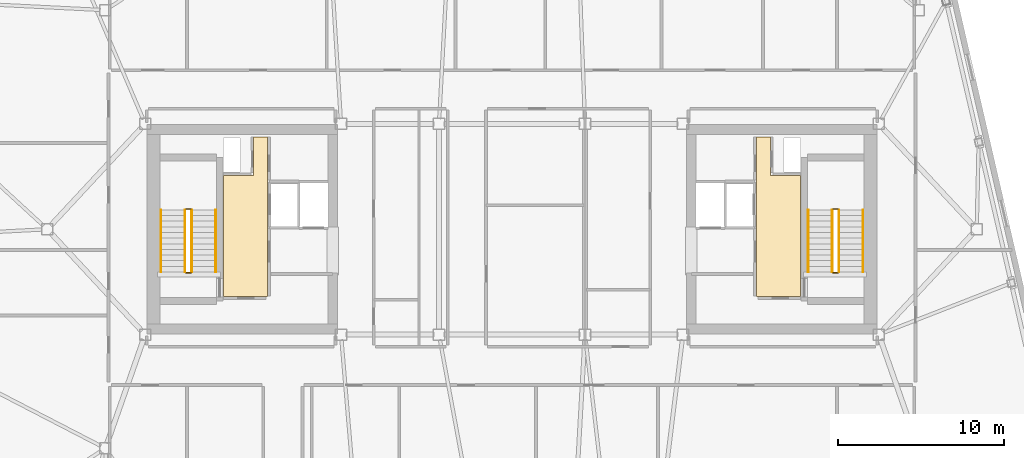
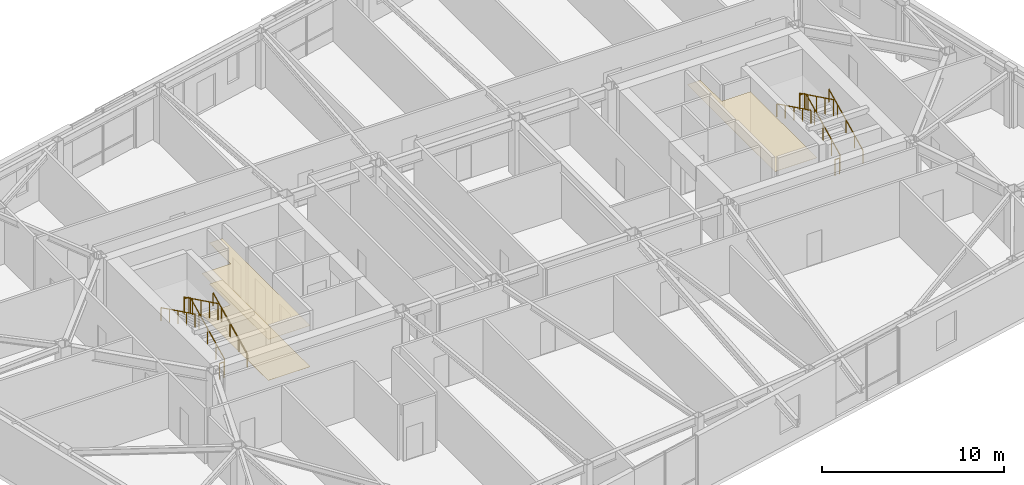
# One storey, part 23 of 24: 12 railings, 3 coverings.
"""IFC4 building model written with IfcOpenShell, lengths in metres."""

from ifc_helpers import new_model, si_unit, direction, frame, origin, origin_2d, place, context, subcontext, project, spatial, polyline, rectangle, outline, extrude, material, layer, layer_set, type_object, element, save


model = new_model("IFC4")

# Units and contexts
model_context = context("Model", 3, precision=1e-05, world=origin(), true_north=direction((0.0, 1.0)))
body_context = subcontext(model_context, "Body", "Model", "MODEL_VIEW")
ifc_project = project(units=[si_unit("LENGTHUNIT", "METRE"), si_unit("AREAUNIT", "SQUARE_METRE"), si_unit("VOLUMEUNIT", "CUBIC_METRE"), si_unit("PLANEANGLEUNIT", "RADIAN"), si_unit("MASSUNIT", "GRAM", prefix="KILO")], contexts=[model_context])

# Site, building, storey
site_placement = place(None, origin())
site = spatial("IfcSite", under=ifc_project, at=site_placement, CompositionType="ELEMENT")
building_placement = place(site_placement, origin())
building = spatial("IfcBuilding", under=site, at=building_placement, Name="Tavrogorsk Clinical Tower", CompositionType="ELEMENT")
storey_placement = place(building_placement, frame((0.0, 0.0, 321.0)))
storey = spatial("IfcBuildingStorey", under=building, at=storey_placement, Name="L75", CompositionType="ELEMENT", Elevation=321.0)

# Coverings
ifc_material_1 = material(Name="Antibacterial micro-perforated aluminium ceiling", Category="aluminium")
ifc_layer_1 = layer(ifc_material_1, 0.014892578125)
ifc_layer_set_1 = layer_set([ifc_layer_1], Name="Antibacterial micro-perforated aluminium ceiling")
covering_type_1 = type_object("IfcCoveringType", Name="ClinicalCeiling_15", PredefinedType="CEILING", material=ifc_layer_set_1)
covering_1_placement = place(storey_placement, frame((0.0, 0.0, 2.75)))
element("IfcCovering", 1, at=covering_1_placement, inside=storey, type_object=covering_type_1, Name="Core West Firefighting Lift Lobby Acoustic Ceiling", PredefinedType="CEILING", context=body_context, shape_type="SweptSolid", body=[
    extrude(outline(polyline([(-14.719970703125, 5.56005859375), (-14.719970703125, -4.06005859375), (-17.3798828125, -4.06005859375), (-17.3798828125, 3.239990234375), (-15.56005859375, 3.239990234375), (-15.56005859375, 5.56005859375), (-14.719970703125, 5.56005859375)])), origin(), (0.0, 0.0, 1.0), 0.014892578125),
])
covering_2_placement = place(storey_placement, frame((0.0, 0.0, 2.75)))
element("IfcCovering", 2, at=covering_2_placement, inside=storey, type_object=covering_type_1, Name="Core East Firefighting Lift Lobby Acoustic Ceiling", PredefinedType="CEILING", context=body_context, shape_type="SweptSolid", body=[
    extrude(outline(polyline([(17.3798828125, -4.06005859375), (14.719970703125, -4.06005859375), (14.719970703125, 5.56005859375), (15.56005859375, 5.56005859375), (15.56005859375, 3.239990234375), (17.3798828125, 3.239990234375), (17.3798828125, -4.06005859375)])), origin(), (0.0, 0.0, 1.0), 0.014892578125),
])
ifc_material_2 = material(Name="Homogeneous medical conductive PVC flooring")
ifc_layer_2 = layer(ifc_material_2, 0.008056640625)
ifc_layer_set_2 = layer_set([ifc_layer_2], Name="Homogeneous medical conductive PVC flooring")
covering_type_2 = type_object("IfcCoveringType", Name="ResilientVinylFloor_8", PredefinedType="FLOORING", material=ifc_layer_set_2)
covering_3_placement = place(storey_placement, origin())
element("IfcCovering", 3, at=covering_3_placement, inside=storey, type_object=covering_type_2, Name="Core West Firefighting Lift Lobby Conductive Vinyl Flooring", PredefinedType="FLOORING", context=body_context, shape_type="SweptSolid", body=[
    extrude(outline(polyline([(-14.719970703125, 5.56005859375), (-14.719970703125, -4.06005859375), (-17.3798828125, -4.06005859375), (-17.3798828125, 3.239990234375), (-15.56005859375, 3.239990234375), (-15.56005859375, 5.56005859375), (-14.719970703125, 5.56005859375)])), origin(), (0.0, 0.0, 1.0), 0.008056640625),
])

# Railings
ifc_material_3 = material(Name="Galvanised steel S355 safety stairwell guard", Category="steel")
ifc_layer_3 = layer(ifc_material_3, 0.06005859375)
ifc_layer_set_3 = layer_set([ifc_layer_3], Name="Galvanised steel S355 safety stairwell guard")
railing_type_1 = type_object("IfcRailingType", Name="StairGuard_1150", PredefinedType="GUARDRAIL", material=ifc_layer_set_3)
railing_1_placement = place(storey_placement, frame((-19.300048828125, -2.574951171875, 0.166748046875)))
element("IfcRailing", 4, at=railing_1_placement, inside=storey, type_object=railing_type_1, Name="L75 ST-W stair guard 1", PredefinedType="GUARDRAIL", context=body_context, shape_type="SweptSolid", body=[
    extrude(rectangle(XDim=0.048095703125, YDim=0.048095703125, at=origin_2d()), frame((0.0, 0.0, 1.076171875), z_axis=(0.0, 0.897927990467, 0.440142390523), x_axis=(-1.0, 0.0, 0.0)), (0.0, 0.0, 1.0), 4.1650390625),
    extrude(rectangle(XDim=0.0419921875, YDim=0.0419921875, at=origin_2d()), origin(), (0.0, 0.0, 1.0), 1.052001953125),
    extrude(rectangle(XDim=0.0419921875, YDim=0.0419921875, at=origin_2d()), frame((0.0, 0.93505859375, 0.458251953125)), (0.0, 0.0, 1.0), 1.052001953125),
    extrude(rectangle(XDim=0.0419921875, YDim=0.0419921875, at=origin_2d()), frame((0.0, 1.8701171875, 0.91650390625)), (0.0, 0.0, 1.0), 1.052001953125),
    extrude(rectangle(XDim=0.0419921875, YDim=0.0419921875, at=origin_2d()), frame((0.0, 2.804931640625, 1.375)), (0.0, 0.0, 1.0), 1.052001953125),
    extrude(rectangle(XDim=0.0419921875, YDim=0.0419921875, at=origin_2d()), frame((0.0, 3.739990234375, 1.833251953125)), (0.0, 0.0, 1.0), 1.052001953125),
])
railing_2_placement = place(storey_placement, frame((-19.35009765625, 1.215087890625, 2.0)))
element("IfcRailing", 5, at=railing_2_placement, inside=storey, type_object=railing_type_1, Name="L75 ST-W stair guard 2", PredefinedType="GUARDRAIL", context=body_context, shape_type="SweptSolid", body=[
    extrude(rectangle(XDim=0.048095703125, YDim=0.048095703125, at=origin_2d()), frame((0.0, 0.0, 1.076171875), z_axis=(-1.0, 0.0, 0.0), x_axis=(0.0, -1.0, 0.0)), (0.0, 0.0, 1.0), 0.2998046875),
    extrude(rectangle(XDim=0.0419921875, YDim=0.0419921875, at=origin_2d()), origin(), (0.0, 0.0, 1.0), 1.052001953125),
    extrude(rectangle(XDim=0.0419921875, YDim=0.0419921875, at=origin_2d()), frame((-0.2998046875, 0.0, 0.0)), (0.0, 0.0, 1.0), 1.052001953125),
])
railing_3_placement = place(storey_placement, frame((-19.699951171875, 1.1650390625, 2.166748046875)))
element("IfcRailing", 6, at=railing_3_placement, inside=storey, type_object=railing_type_1, Name="L75 ST-W stair guard 3", PredefinedType="GUARDRAIL", context=body_context, shape_type="SweptSolid", body=[
    extrude(rectangle(XDim=0.048095703125, YDim=0.048095703125, at=origin_2d()), frame((0.0, 0.0, 1.076171875), z_axis=(0.0, -0.897927990467, 0.440142390523), x_axis=(1.0, 0.0, 0.0)), (0.0, 0.0, 1.0), 4.1650390625),
    extrude(rectangle(XDim=0.0419921875, YDim=0.0419921875, at=origin_2d()), origin(), (0.0, 0.0, 1.0), 1.052001953125),
    extrude(rectangle(XDim=0.0419921875, YDim=0.0419921875, at=origin_2d()), frame((0.0, -0.93505859375, 0.458251953125)), (0.0, 0.0, 1.0), 1.052001953125),
    extrude(rectangle(XDim=0.0419921875, YDim=0.0419921875, at=origin_2d()), frame((0.0, -1.8701171875, 0.91650390625)), (0.0, 0.0, 1.0), 1.052001953125),
    extrude(rectangle(XDim=0.0419921875, YDim=0.0419921875, at=origin_2d()), frame((0.0, -2.804931640625, 1.375)), (0.0, 0.0, 1.0), 1.052001953125),
    extrude(rectangle(XDim=0.0419921875, YDim=0.0419921875, at=origin_2d()), frame((0.0, -3.739990234375, 1.833251953125)), (0.0, 0.0, 1.0), 1.052001953125),
])
railing_4_placement = place(storey_placement, frame((-19.35009765625, -2.625, 0.0)))
element("IfcRailing", 7, at=railing_4_placement, inside=storey, type_object=railing_type_1, Name="L75 ST-W stair guard 4", PredefinedType="GUARDRAIL", context=body_context, shape_type="SweptSolid", body=[
    extrude(rectangle(XDim=0.048095703125, YDim=0.048095703125, at=origin_2d()), frame((0.0, 0.0, 1.076171875), z_axis=(-1.0, 0.0, 0.0), x_axis=(0.0, -1.0, 0.0)), (0.0, 0.0, 1.0), 0.2998046875),
    extrude(rectangle(XDim=0.0419921875, YDim=0.0419921875, at=origin_2d()), origin(), (0.0, 0.0, 1.0), 1.052001953125),
    extrude(rectangle(XDim=0.0419921875, YDim=0.0419921875, at=origin_2d()), frame((-0.2998046875, 0.0, 0.0)), (0.0, 0.0, 1.0), 1.052001953125),
])
railing_5_placement = place(storey_placement, frame((19.699951171875, -2.574951171875, 0.166748046875)))
element("IfcRailing", 8, at=railing_5_placement, inside=storey, type_object=railing_type_1, Name="L75 ST-E stair guard 1", PredefinedType="GUARDRAIL", context=body_context, shape_type="SweptSolid", body=[
    extrude(rectangle(XDim=0.048095703125, YDim=0.048095703125, at=origin_2d()), frame((0.0, 0.0, 1.076171875), z_axis=(0.0, 0.897927990467, 0.440142390523), x_axis=(-1.0, 0.0, 0.0)), (0.0, 0.0, 1.0), 4.1650390625),
    extrude(rectangle(XDim=0.0419921875, YDim=0.0419921875, at=origin_2d()), origin(), (0.0, 0.0, 1.0), 1.052001953125),
    extrude(rectangle(XDim=0.0419921875, YDim=0.0419921875, at=origin_2d()), frame((0.0, 0.93505859375, 0.458251953125)), (0.0, 0.0, 1.0), 1.052001953125),
    extrude(rectangle(XDim=0.0419921875, YDim=0.0419921875, at=origin_2d()), frame((0.0, 1.8701171875, 0.91650390625)), (0.0, 0.0, 1.0), 1.052001953125),
    extrude(rectangle(XDim=0.0419921875, YDim=0.0419921875, at=origin_2d()), frame((0.0, 2.804931640625, 1.375)), (0.0, 0.0, 1.0), 1.052001953125),
    extrude(rectangle(XDim=0.0419921875, YDim=0.0419921875, at=origin_2d()), frame((0.0, 3.739990234375, 1.833251953125)), (0.0, 0.0, 1.0), 1.052001953125),
])
railing_6_placement = place(storey_placement, frame((19.64990234375, 1.215087890625, 2.0)))
element("IfcRailing", 9, at=railing_6_placement, inside=storey, type_object=railing_type_1, Name="L75 ST-E stair guard 2", PredefinedType="GUARDRAIL", context=body_context, shape_type="SweptSolid", body=[
    extrude(rectangle(XDim=0.048095703125, YDim=0.048095703125, at=origin_2d()), frame((0.0, 0.0, 1.076171875), z_axis=(-1.0, 0.0, 0.0), x_axis=(0.0, -1.0, 0.0)), (0.0, 0.0, 1.0), 0.2998046875),
    extrude(rectangle(XDim=0.0419921875, YDim=0.0419921875, at=origin_2d()), origin(), (0.0, 0.0, 1.0), 1.052001953125),
    extrude(rectangle(XDim=0.0419921875, YDim=0.0419921875, at=origin_2d()), frame((-0.2998046875, 0.0, 0.0)), (0.0, 0.0, 1.0), 1.052001953125),
])
railing_7_placement = place(storey_placement, frame((19.300048828125, 1.1650390625, 2.166748046875)))
element("IfcRailing", 10, at=railing_7_placement, inside=storey, type_object=railing_type_1, Name="L75 ST-E stair guard 3", PredefinedType="GUARDRAIL", context=body_context, shape_type="SweptSolid", body=[
    extrude(rectangle(XDim=0.048095703125, YDim=0.048095703125, at=origin_2d()), frame((0.0, 0.0, 1.076171875), z_axis=(0.0, -0.897927990467, 0.440142390523), x_axis=(1.0, 0.0, 0.0)), (0.0, 0.0, 1.0), 4.1650390625),
    extrude(rectangle(XDim=0.0419921875, YDim=0.0419921875, at=origin_2d()), origin(), (0.0, 0.0, 1.0), 1.052001953125),
    extrude(rectangle(XDim=0.0419921875, YDim=0.0419921875, at=origin_2d()), frame((0.0, -0.93505859375, 0.458251953125)), (0.0, 0.0, 1.0), 1.052001953125),
    extrude(rectangle(XDim=0.0419921875, YDim=0.0419921875, at=origin_2d()), frame((0.0, -1.8701171875, 0.91650390625)), (0.0, 0.0, 1.0), 1.052001953125),
    extrude(rectangle(XDim=0.0419921875, YDim=0.0419921875, at=origin_2d()), frame((0.0, -2.804931640625, 1.375)), (0.0, 0.0, 1.0), 1.052001953125),
    extrude(rectangle(XDim=0.0419921875, YDim=0.0419921875, at=origin_2d()), frame((0.0, -3.739990234375, 1.833251953125)), (0.0, 0.0, 1.0), 1.052001953125),
])
railing_8_placement = place(storey_placement, frame((19.64990234375, -2.625, 0.0)))
element("IfcRailing", 11, at=railing_8_placement, inside=storey, type_object=railing_type_1, Name="L75 ST-E stair guard 4", PredefinedType="GUARDRAIL", context=body_context, shape_type="SweptSolid", body=[
    extrude(rectangle(XDim=0.048095703125, YDim=0.048095703125, at=origin_2d()), frame((0.0, 0.0, 1.076171875), z_axis=(-1.0, 0.0, 0.0), x_axis=(0.0, -1.0, 0.0)), (0.0, 0.0, 1.0), 0.2998046875),
    extrude(rectangle(XDim=0.0419921875, YDim=0.0419921875, at=origin_2d()), origin(), (0.0, 0.0, 1.0), 1.052001953125),
    extrude(rectangle(XDim=0.0419921875, YDim=0.0419921875, at=origin_2d()), frame((-0.2998046875, 0.0, 0.0)), (0.0, 0.0, 1.0), 1.052001953125),
])
ifc_material_4 = material(Name="Stainless steel AISI 304 tubular handrail", Category="steel")
ifc_layer_4 = layer(ifc_material_4, 0.050048828125)
ifc_layer_set_4 = layer_set([ifc_layer_4], Name="Stainless steel AISI 304 tubular handrail")
railing_type_2 = type_object("IfcRailingType", Name="StairHandrail_920", PredefinedType="HANDRAIL", material=ifc_layer_set_4)
railing_9_placement = place(storey_placement, frame((-17.85009765625, -2.574951171875, 0.166748046875)))
element("IfcRailing", 12, at=railing_9_placement, inside=storey, type_object=railing_type_2, Name="L75 ST-W stair handrail 1", PredefinedType="HANDRAIL", context=body_context, shape_type="SweptSolid", body=[
    extrude(rectangle(XDim=0.048095703125, YDim=0.048095703125, at=origin_2d()), frame((0.0, 0.0, 0.8759765625), z_axis=(0.0, 0.897927990467, 0.440142390523), x_axis=(-1.0, 0.0, 0.0)), (0.0, 0.0, 1.0), 4.1650390625),
    extrude(rectangle(XDim=0.0419921875, YDim=0.0419921875, at=origin_2d()), origin(), (0.0, 0.0, 1.0), 0.851806640625),
    extrude(rectangle(XDim=0.0419921875, YDim=0.0419921875, at=origin_2d()), frame((0.0, 0.93505859375, 0.458251953125)), (0.0, 0.0, 1.0), 0.851806640625),
    extrude(rectangle(XDim=0.0419921875, YDim=0.0419921875, at=origin_2d()), frame((0.0, 1.8701171875, 0.91650390625)), (0.0, 0.0, 1.0), 0.851806640625),
    extrude(rectangle(XDim=0.0419921875, YDim=0.0419921875, at=origin_2d()), frame((0.0, 2.804931640625, 1.375)), (0.0, 0.0, 1.0), 0.851806640625),
    extrude(rectangle(XDim=0.0419921875, YDim=0.0419921875, at=origin_2d()), frame((0.0, 3.739990234375, 1.833251953125)), (0.0, 0.0, 1.0), 0.851806640625),
])
railing_10_placement = place(storey_placement, frame((-21.14990234375, 1.1650390625, 2.166748046875)))
element("IfcRailing", 13, at=railing_10_placement, inside=storey, type_object=railing_type_2, Name="L75 ST-W stair handrail 2", PredefinedType="HANDRAIL", context=body_context, shape_type="SweptSolid", body=[
    extrude(rectangle(XDim=0.048095703125, YDim=0.048095703125, at=origin_2d()), frame((0.0, 0.0, 0.8759765625), z_axis=(0.0, -0.897927990467, 0.440142390523), x_axis=(1.0, 0.0, 0.0)), (0.0, 0.0, 1.0), 4.1650390625),
    extrude(rectangle(XDim=0.0419921875, YDim=0.0419921875, at=origin_2d()), origin(), (0.0, 0.0, 1.0), 0.851806640625),
    extrude(rectangle(XDim=0.0419921875, YDim=0.0419921875, at=origin_2d()), frame((0.0, -0.93505859375, 0.458251953125)), (0.0, 0.0, 1.0), 0.851806640625),
    extrude(rectangle(XDim=0.0419921875, YDim=0.0419921875, at=origin_2d()), frame((0.0, -1.8701171875, 0.91650390625)), (0.0, 0.0, 1.0), 0.851806640625),
    extrude(rectangle(XDim=0.0419921875, YDim=0.0419921875, at=origin_2d()), frame((0.0, -2.804931640625, 1.375)), (0.0, 0.0, 1.0), 0.851806640625),
    extrude(rectangle(XDim=0.0419921875, YDim=0.0419921875, at=origin_2d()), frame((0.0, -3.739990234375, 1.833251953125)), (0.0, 0.0, 1.0), 0.851806640625),
])
railing_11_placement = place(storey_placement, frame((21.14990234375, -2.574951171875, 0.166748046875)))
element("IfcRailing", 14, at=railing_11_placement, inside=storey, type_object=railing_type_2, Name="L75 ST-E stair handrail 1", PredefinedType="HANDRAIL", context=body_context, shape_type="SweptSolid", body=[
    extrude(rectangle(XDim=0.048095703125, YDim=0.048095703125, at=origin_2d()), frame((0.0, 0.0, 0.8759765625), z_axis=(0.0, 0.897927990467, 0.440142390523), x_axis=(-1.0, 0.0, 0.0)), (0.0, 0.0, 1.0), 4.1650390625),
    extrude(rectangle(XDim=0.0419921875, YDim=0.0419921875, at=origin_2d()), origin(), (0.0, 0.0, 1.0), 0.851806640625),
    extrude(rectangle(XDim=0.0419921875, YDim=0.0419921875, at=origin_2d()), frame((0.0, 0.93505859375, 0.458251953125)), (0.0, 0.0, 1.0), 0.851806640625),
    extrude(rectangle(XDim=0.0419921875, YDim=0.0419921875, at=origin_2d()), frame((0.0, 1.8701171875, 0.91650390625)), (0.0, 0.0, 1.0), 0.851806640625),
    extrude(rectangle(XDim=0.0419921875, YDim=0.0419921875, at=origin_2d()), frame((0.0, 2.804931640625, 1.375)), (0.0, 0.0, 1.0), 0.851806640625),
    extrude(rectangle(XDim=0.0419921875, YDim=0.0419921875, at=origin_2d()), frame((0.0, 3.739990234375, 1.833251953125)), (0.0, 0.0, 1.0), 0.851806640625),
])
railing_12_placement = place(storey_placement, frame((17.85009765625, 1.1650390625, 2.166748046875)))
element("IfcRailing", 15, at=railing_12_placement, inside=storey, type_object=railing_type_2, Name="L75 ST-E stair handrail 2", PredefinedType="HANDRAIL", context=body_context, shape_type="SweptSolid", body=[
    extrude(rectangle(XDim=0.048095703125, YDim=0.048095703125, at=origin_2d()), frame((0.0, 0.0, 0.8759765625), z_axis=(0.0, -0.897927990467, 0.440142390523), x_axis=(1.0, 0.0, 0.0)), (0.0, 0.0, 1.0), 4.1650390625),
    extrude(rectangle(XDim=0.0419921875, YDim=0.0419921875, at=origin_2d()), origin(), (0.0, 0.0, 1.0), 0.851806640625),
    extrude(rectangle(XDim=0.0419921875, YDim=0.0419921875, at=origin_2d()), frame((0.0, -0.93505859375, 0.458251953125)), (0.0, 0.0, 1.0), 0.851806640625),
    extrude(rectangle(XDim=0.0419921875, YDim=0.0419921875, at=origin_2d()), frame((0.0, -1.8701171875, 0.91650390625)), (0.0, 0.0, 1.0), 0.851806640625),
    extrude(rectangle(XDim=0.0419921875, YDim=0.0419921875, at=origin_2d()), frame((0.0, -2.804931640625, 1.375)), (0.0, 0.0, 1.0), 0.851806640625),
    extrude(rectangle(XDim=0.0419921875, YDim=0.0419921875, at=origin_2d()), frame((0.0, -3.739990234375, 1.833251953125)), (0.0, 0.0, 1.0), 0.851806640625),
])

save(model, "model.ifc")
